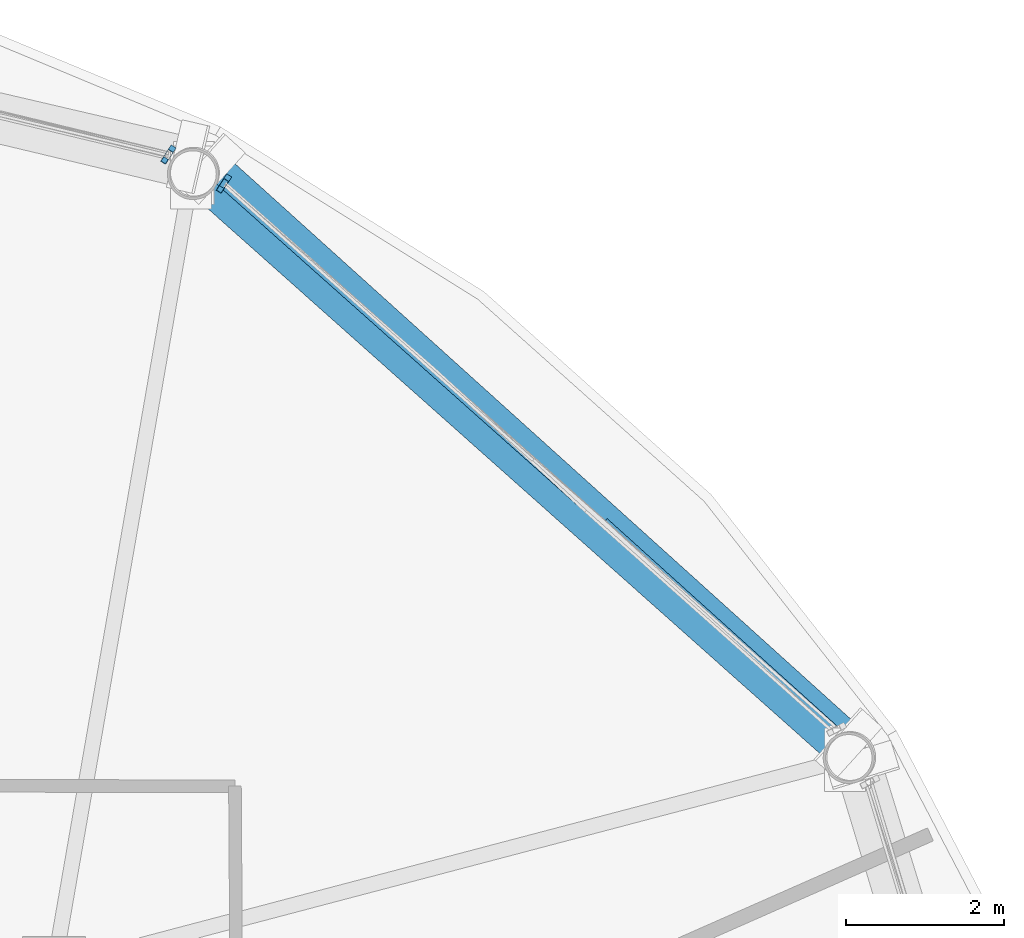
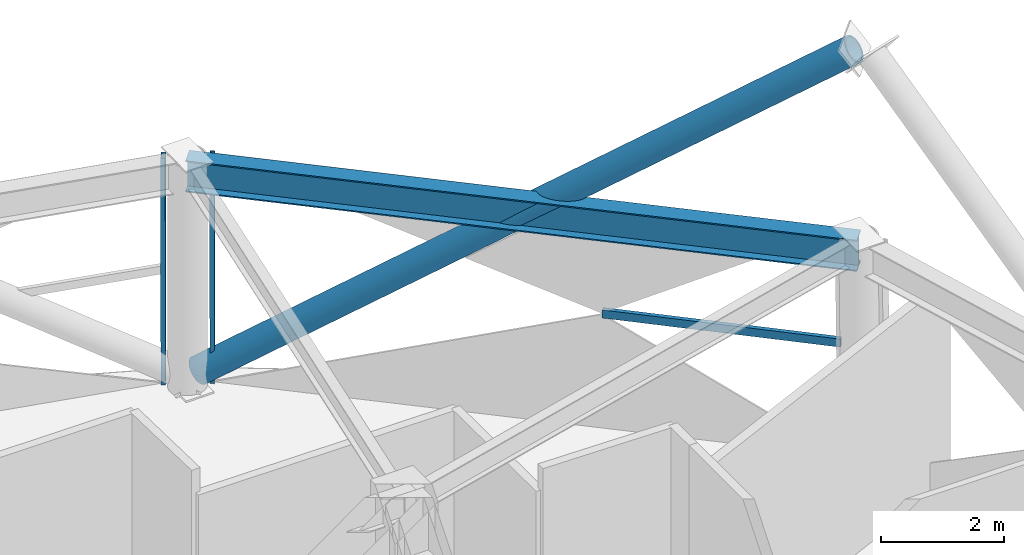
# One storey, part 7 of 16: 4 members, 1 beam, 2 elements without a shape of their own.
"""IFC4 building model written with IfcOpenShell, lengths in metres."""

from ifc_helpers import new_model, si_unit, direction, frame, origin, origin_2d, place, context, subcontext, project, spatial, hollow_rectangle, hollow_circle, i_section, extrude, material, layer, layer_set, material_profile, profile_set, type_object, element, aggregate, save


model = new_model("IFC4")

# Units and contexts
model_context = context("Model", 3, precision=1e-05, world=origin(), true_north=direction((0.0, 1.0)))
body_context = subcontext(model_context, "Body", "Model", "MODEL_VIEW")
ifc_project = project(units=[si_unit("LENGTHUNIT", "METRE"), si_unit("AREAUNIT", "SQUARE_METRE"), si_unit("VOLUMEUNIT", "CUBIC_METRE"), si_unit("PLANEANGLEUNIT", "RADIAN"), si_unit("MASSUNIT", "GRAM", prefix="KILO")], contexts=[model_context])

# Site, building, storey
site_placement = place(None, origin())
site = spatial("IfcSite", under=ifc_project, at=site_placement, CompositionType="ELEMENT")
building_placement = place(site_placement, origin())
building = spatial("IfcBuilding", under=site, at=building_placement, Name="Vantalir Tower", CompositionType="ELEMENT")
storey_placement = place(building_placement, frame((0.0, 0.0, 181.35009765625)))
storey = spatial("IfcBuildingStorey", under=building, at=storey_placement, Name="L45", CompositionType="ELEMENT", Elevation=181.35009765625)

# Beam
ifc_material_1 = material(Name="Steel S460", Category="steel")
ifc_material_profile_1 = material_profile(ifc_material_1, i_section(OverallWidth=0.306884765625, OverallDepth=0.6201171875, WebThickness=0.01416015625, FlangeThickness=0.023681640625, at=origin_2d()), Name="Steel S460")
ifc_profile_set_1 = profile_set([ifc_material_profile_1], Name="Steel S460")
beam_type = type_object("IfcBeamType", Name="BM-RG-610x305", PredefinedType="USERDEFINED", material=ifc_profile_set_1)
beam_placement = place(storey_placement, frame((51.137939453125, 35.093994140625, 4.309814453125), z_axis=(-0.746913346666, 0.664921388265, 0.0), x_axis=(-0.664921388265, -0.746913346666, 0.0)))
element("IfcBeam", 1, at=beam_placement, inside=storey, type_object=beam_type, Name="L45 Circumferential Ring Girder 02", ObjectType="GIRDER", PredefinedType="USERDEFINED", context=body_context, shape_type="SweptSolid", body=[
    extrude(i_section(OverallWidth=0.306884765625, OverallDepth=0.6201171875, WebThickness=0.01416015625, FlangeThickness=0.023681640625, at=origin_2d()), origin(), (0.0, 0.0, 1.0), 11.112548828125),
])

# Curtain wall, member
ifc_material_2 = material(Name="Champagne-silver PVDF aluminium and double-silver Low-E glass", Category="aluminium")
ifc_layer = layer(ifc_material_2, 0.22998046875)
ifc_layer_set = layer_set([ifc_layer], Name="Champagne-silver PVDF aluminium and double-silver Low-E glass")
curtain_wall_type = type_object("IfcCurtainWallType", Name="CW-SKYLOBBY", PredefinedType="USERDEFINED", material=ifc_layer_set)
curtain_wall_1_placement = place(storey_placement, origin())
curtain_wall_1 = element("IfcCurtainWall", 2, at=curtain_wall_1_placement, inside=storey, type_object=curtain_wall_type, Name="L45 Quilted Pyramid-Diamond Curtain Wall S02", ObjectType="UNITISED CURTAIN WALL", PredefinedType="USERDEFINED")
ifc_material_3 = material(Name="Champagne-silver PVDF aluminium 6063-T6", Category="aluminium")
ifc_material_profile_2 = material_profile(ifc_material_3, hollow_rectangle(XDim=0.074951171875, YDim=0.179931640625, WallThickness=0.00390625, at=origin_2d()), Name="Champagne-silver PVDF aluminium 6063-T6")
ifc_profile_set_2 = profile_set([ifc_material_profile_2], Name="Champagne-silver PVDF aluminium 6063-T6")
member_type_1 = type_object("IfcMemberType", Name="CWM-180x75", PredefinedType="MULLION", material=ifc_profile_set_2)
member_1_placement = place(storey_placement, frame((43.27587890625, 42.431884765625, 0.044921875), z_axis=(-0.008137057264, -0.012555856573, 0.999888063117), x_axis=(0.839183426584, -0.543848486756, 0.0)))
member_1 = element("IfcMember", 3, at=member_1_placement, type_object=member_type_1, Name="CW-L45-S02 Mullion 2", PredefinedType="MULLION", context=body_context, shape_type="SweptSolid", body=[
    extrude(hollow_rectangle(XDim=0.074951171875, YDim=0.179931640625, WallThickness=0.00390625, at=origin_2d()), origin(), (0.0, 0.0, 1.0), 4.530517578125),
])

curtain_wall_2_placement = place(storey_placement, origin())
curtain_wall_2 = element("IfcCurtainWall", 4, at=curtain_wall_2_placement, inside=storey, type_object=curtain_wall_type, Name="L45 Quilted Pyramid-Diamond Curtain Wall S03", ObjectType="UNITISED CURTAIN WALL", PredefinedType="USERDEFINED")
member_2_placement = place(storey_placement, frame((42.571044921875, 42.800048828125, 0.044921875), z_axis=(-0.008190935903, -0.012609730271, 0.999886945245), x_axis=(0.838607336961, -0.544736389821, 0.0)))
member_2 = element("IfcMember", 5, at=member_2_placement, type_object=member_type_1, Name="CW-L45-S03 Mullion 1", PredefinedType="MULLION", context=body_context, shape_type="SweptSolid", body=[
    extrude(hollow_rectangle(XDim=0.074951171875, YDim=0.179931640625, WallThickness=0.00390625, at=origin_2d()), origin(), (0.0, 0.0, 1.0), 4.530517578125),
])
aggregate(curtain_wall_2, [member_2])

# Member
ifc_material_profile_3 = material_profile(ifc_material_3, hollow_rectangle(XDim=0.074951171875, YDim=0.159912109375, WallThickness=0.00390625, at=origin_2d()), Name="Champagne-silver PVDF aluminium 6063-T6")
ifc_profile_set_3 = profile_set([ifc_material_profile_3], Name="Champagne-silver PVDF aluminium 6063-T6")
member_type_2 = type_object("IfcMemberType", Name="CWT-160x75", PredefinedType="USERDEFINED", material=ifc_profile_set_3)
member_3_placement = place(storey_placement, frame((51.029052734375, 35.47802734375, 2.309814453125), z_axis=(-0.742501034701, 0.669844917476, 0.0), x_axis=(-0.669844917476, -0.742501034701, 0.0)))
member_3 = element("IfcMember", 6, at=member_3_placement, type_object=member_type_2, Name="CW-L45-S02 Pyramid Fold Ridge Transom", ObjectType="TRANSOM", PredefinedType="USERDEFINED", context=body_context, shape_type="SweptSolid", body=[
    extrude(hollow_rectangle(XDim=0.074951171875, YDim=0.159912109375, WallThickness=0.00390625, at=origin_2d()), origin(), (0.0, 0.0, 1.0), 3.95166015625),
])

aggregate(curtain_wall_1, [member_1, member_3])

ifc_material_profile_4 = material_profile(ifc_material_1, hollow_circle(Radius=0.25, WallThickness=0.031982421875, at=origin_2d()), Name="Steel S460")
ifc_profile_set_4 = profile_set([ifc_material_profile_4], Name="Steel S460")
member_type_3 = type_object("IfcMemberType", Name="MEM-DB-500x32", PredefinedType="BRACE", material=ifc_profile_set_4)
member_4_placement = place(storey_placement, frame((43.10205078125, 42.5859375, 0.2099609375), z_axis=(0.599297851054, -0.540546715277, 0.590467047621), x_axis=(0.669771199505, 0.742567532494, 0.0)))
element("IfcMember", 7, at=member_4_placement, inside=storey, type_object=member_type_3, Name="L45 Perimeter S460 Diagrid Brace R07R", PredefinedType="BRACE", context=body_context, shape_type="SweptSolid", body=[
    extrude(hollow_circle(Radius=0.25, WallThickness=0.031982421875, at=origin_2d()), origin(), (0.0, 0.0, 1.0), 13.4638671875),
])

save(model, "model.ifc")
